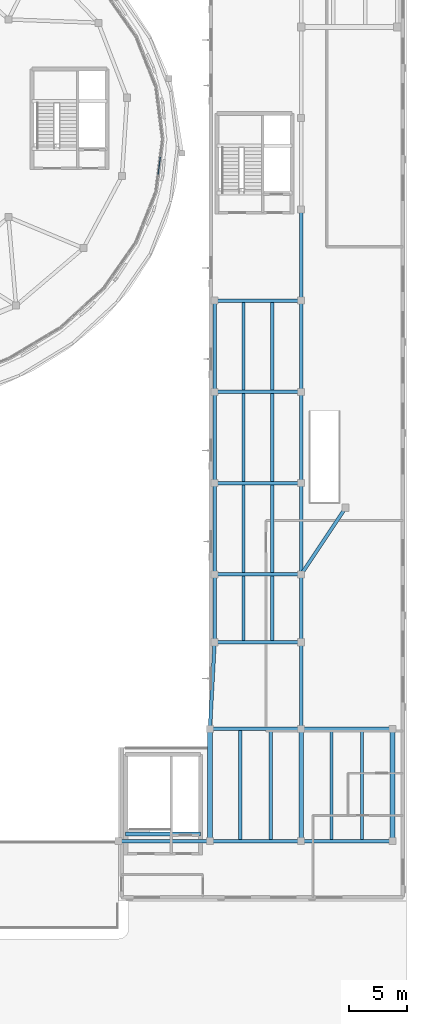
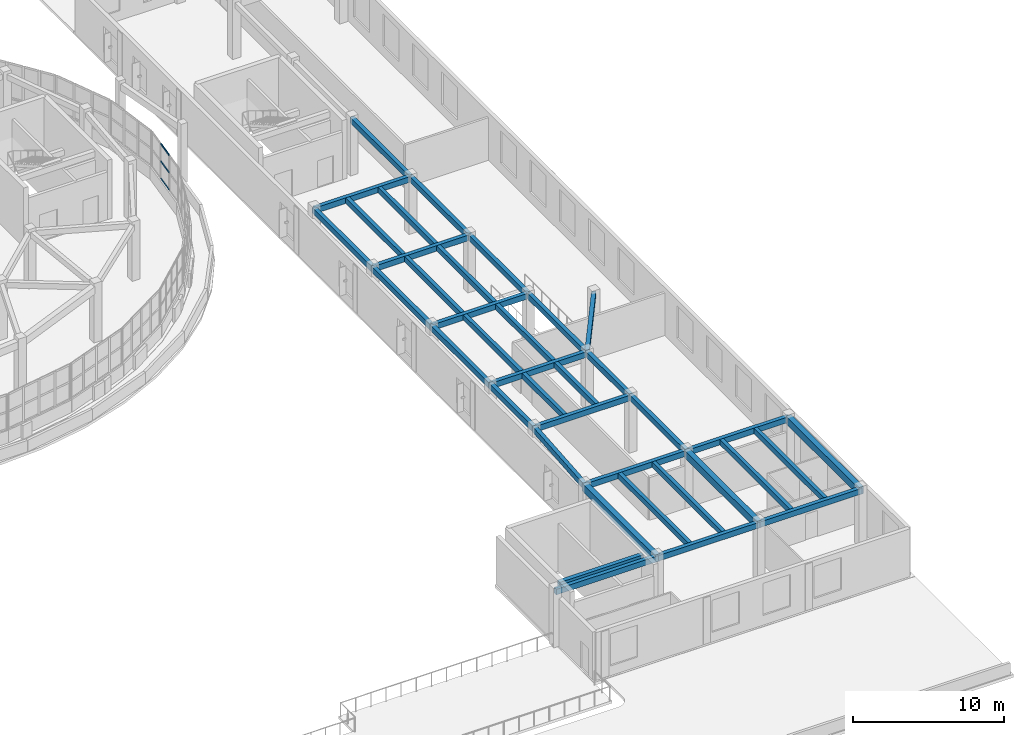
# One storey, part 34 of 69: 38 beams, 3 members, 1 element without a shape of its own.
"""IFC4 building model written with IfcOpenShell, lengths in metres."""

from ifc_helpers import new_model, si_unit, direction, frame, origin, origin_2d, place, context, subcontext, project, spatial, rectangle, hollow_rectangle, extrude, material, layer, layer_set, material_profile, profile_set, type_object, element, aggregate, save


model = new_model("IFC4")

# Units and contexts
model_context = context("Model", 3, precision=1e-05, world=origin(), true_north=direction((0.0, 1.0)))
body_context = subcontext(model_context, "Body", "Model", "MODEL_VIEW")
ifc_project = project(units=[si_unit("LENGTHUNIT", "METRE"), si_unit("AREAUNIT", "SQUARE_METRE"), si_unit("VOLUMEUNIT", "CUBIC_METRE"), si_unit("PLANEANGLEUNIT", "RADIAN"), si_unit("MASSUNIT", "GRAM", prefix="KILO")], contexts=[model_context])

# Site, building, storey
site_placement = place(None, origin())
site = spatial("IfcSite", under=ifc_project, at=site_placement, CompositionType="ELEMENT")
building_placement = place(site_placement, origin())
building = spatial("IfcBuilding", under=site, at=building_placement, Name="Pelvatis Terrace Science Centre", CompositionType="ELEMENT")
storey_placement = place(building_placement, frame((0.0, 0.0, 15.0)))
storey = spatial("IfcBuildingStorey", under=building, at=storey_placement, Name="L03", CompositionType="ELEMENT", Elevation=15.0)

# Beams
ifc_material_1 = material(Name="Concrete C35/45", Category="concrete")
ifc_material_profile_1 = material_profile(ifc_material_1, rectangle(XDim=0.300048828125, YDim=0.449951171875, at=origin_2d()), Name="RC-BM 300x450")
ifc_profile_set_1 = profile_set([ifc_material_profile_1], Name="Concrete C35/45")
beam_type_1 = type_object("IfcBeamType", Name="BM-RC-300x450", PredefinedType="BEAM", material=ifc_profile_set_1)
beam_1_placement = place(storey_placement, frame((132.60009765625, 24.0, 4.324951171875), z_axis=(1.0, 0.0, 0.0), x_axis=(0.0, 1.0, 0.0)))
element("IfcBeam", 1, at=beam_1_placement, inside=storey, type_object=beam_type_1, Name="Beam BM-L03-3043", PredefinedType="BEAM", context=body_context, shape_type="SweptSolid", body=[
    extrude(rectangle(XDim=0.300048828125, YDim=0.449951171875, at=origin_2d()), origin(), (0.0, 0.0, 1.0), 7.7998046875),
])
for number, where, z_axis, x_axis, name in (
    (2, (140.39990234375, 24.0, 4.324951171875), (1.0, 0.0, 0.0), (0.0, 1.0, 0.0), "Beam BM-L03-3045"),
    (3, (140.39990234375, 33.60009765625, 4.324951171875), (1.0, 0.0, 0.0), (0.0, 1.0, 0.0), "Beam BM-L03-3046"),
):
    element("IfcBeam", number, at=place(storey_placement, frame(where, z_axis=z_axis, x_axis=x_axis)), inside=storey, type_object=beam_type_1, Name=name, PredefinedType="BEAM", context=body_context, shape_type="SweptSolid", body=[
        extrude(rectangle(XDim=0.300048828125, YDim=0.449951171875, at=origin_2d()), origin(), (0.0, 0.0, 1.0), 7.800048828125),
    ])
beam_2_placement = place(storey_placement, frame((140.39990234375, 33.60009765625, 4.324951171875), z_axis=(0.05399567722, 0.998541169327, 0.0), x_axis=(-0.998541169327, 0.05399567722, 0.0)))
element("IfcBeam", 4, at=beam_2_placement, inside=storey, type_object=beam_type_1, Name="Beam BM-L03-3047", PredefinedType="BEAM", context=body_context, shape_type="SweptSolid", body=[
    extrude(rectangle(XDim=0.300048828125, YDim=0.449951171875, at=origin_2d()), origin(), (0.0, 0.0, 1.0), 7.41064453125),
])
for number, where, z_axis, x_axis, name in (
    (5, (148.199951171875, 24.0, 4.324951171875), (1.0, 0.0, 0.0), (0.0, 1.0, 0.0), "Beam BM-L03-3049"),
    (6, (148.199951171875, 33.60009765625, 4.324951171875), (1.0, 0.0, 0.0), (0.0, 1.0, 0.0), "Beam BM-L03-3050"),
):
    element("IfcBeam", number, at=place(storey_placement, frame(where, z_axis=z_axis, x_axis=x_axis)), inside=storey, type_object=beam_type_1, Name=name, PredefinedType="BEAM", context=body_context, shape_type="SweptSolid", body=[
        extrude(rectangle(XDim=0.300048828125, YDim=0.449951171875, at=origin_2d()), origin(), (0.0, 0.0, 1.0), 7.800048828125),
    ])
beam_3_placement = place(storey_placement, frame((148.199951171875, 33.60009765625, 4.324951171875), z_axis=(0.0, 1.0, 0.0), x_axis=(-1.0, 0.0, 0.0)))
element("IfcBeam", 7, at=beam_3_placement, inside=storey, type_object=beam_type_1, Name="Beam BM-L03-3051", PredefinedType="BEAM", context=body_context, shape_type="SweptSolid", body=[
    extrude(rectangle(XDim=0.300048828125, YDim=0.449951171875, at=origin_2d()), origin(), (0.0, 0.0, 1.0), 7.39990234375),
])
beam_4_placement = place(storey_placement, frame((140.800048828125, 41.0, 4.324951171875), z_axis=(0.0, 1.0, 0.0), x_axis=(-1.0, 0.0, 0.0)))
element("IfcBeam", 8, at=beam_4_placement, inside=storey, type_object=beam_type_1, Name="Beam BM-L03-3053", PredefinedType="BEAM", context=body_context, shape_type="SweptSolid", body=[
    extrude(rectangle(XDim=0.300048828125, YDim=0.449951171875, at=origin_2d()), origin(), (0.0, 0.0, 1.0), 5.800048828125),
])
beam_5_placement = place(storey_placement, frame((140.800048828125, 41.0, 4.324951171875), z_axis=(1.0, 0.0, 0.0), x_axis=(0.0, 1.0, 0.0)))
element("IfcBeam", 9, at=beam_5_placement, inside=storey, type_object=beam_type_1, Name="Beam BM-L03-3054", PredefinedType="BEAM", context=body_context, shape_type="SweptSolid", body=[
    extrude(rectangle(XDim=0.300048828125, YDim=0.449951171875, at=origin_2d()), origin(), (0.0, 0.0, 1.0), 7.39990234375),
])
beam_6_placement = place(storey_placement, frame((140.800048828125, 46.800048828125, 4.324951171875), z_axis=(0.0, 1.0, 0.0), x_axis=(-1.0, 0.0, 0.0)))
element("IfcBeam", 10, at=beam_6_placement, inside=storey, type_object=beam_type_1, Name="Beam BM-L03-3055", PredefinedType="BEAM", context=body_context, shape_type="SweptSolid", body=[
    extrude(rectangle(XDim=0.300048828125, YDim=0.449951171875, at=origin_2d()), origin(), (0.0, 0.0, 1.0), 7.800048828125),
])
beam_7_placement = place(storey_placement, frame((140.800048828125, 46.800048828125, 4.324951171875), z_axis=(1.0, 0.0, 0.0), x_axis=(0.0, 1.0, 0.0)))
element("IfcBeam", 11, at=beam_7_placement, inside=storey, type_object=beam_type_1, Name="Beam BM-L03-3056", PredefinedType="BEAM", context=body_context, shape_type="SweptSolid", body=[
    extrude(rectangle(XDim=0.300048828125, YDim=0.449951171875, at=origin_2d()), origin(), (0.0, 0.0, 1.0), 7.39990234375),
])
beam_8_placement = place(storey_placement, frame((140.800048828125, 54.60009765625, 4.324951171875), z_axis=(0.0, 1.0, 0.0), x_axis=(-1.0, 0.0, 0.0)))
element("IfcBeam", 12, at=beam_8_placement, inside=storey, type_object=beam_type_1, Name="Beam BM-L03-3057", PredefinedType="BEAM", context=body_context, shape_type="SweptSolid", body=[
    extrude(rectangle(XDim=0.300048828125, YDim=0.449951171875, at=origin_2d()), origin(), (0.0, 0.0, 1.0), 7.7998046875),
])
beam_9_placement = place(storey_placement, frame((140.800048828125, 54.60009765625, 4.324951171875), z_axis=(1.0, 0.0, 0.0), x_axis=(0.0, 1.0, 0.0)))
element("IfcBeam", 13, at=beam_9_placement, inside=storey, type_object=beam_type_1, Name="Beam BM-L03-3058", PredefinedType="BEAM", context=body_context, shape_type="SweptSolid", body=[
    extrude(rectangle(XDim=0.300048828125, YDim=0.449951171875, at=origin_2d()), origin(), (0.0, 0.0, 1.0), 7.39990234375),
])
beam_10_placement = place(storey_placement, frame((140.800048828125, 62.39990234375, 4.324951171875), z_axis=(0.0, 1.0, 0.0), x_axis=(-1.0, 0.0, 0.0)))
element("IfcBeam", 14, at=beam_10_placement, inside=storey, type_object=beam_type_1, Name="Beam BM-L03-3059", PredefinedType="BEAM", context=body_context, shape_type="SweptSolid", body=[
    extrude(rectangle(XDim=0.300048828125, YDim=0.449951171875, at=origin_2d()), origin(), (0.0, 0.0, 1.0), 7.800048828125),
])
for number, where, z_axis, x_axis, name in (
    (15, (140.800048828125, 62.39990234375, 4.324951171875), (1.0, 0.0, 0.0), (0.0, 1.0, 0.0), "Beam BM-L03-3060"),
    (16, (140.800048828125, 70.199951171875, 4.324951171875), (1.0, 0.0, 0.0), (0.0, 1.0, 0.0), "Beam BM-L03-3061"),
):
    element("IfcBeam", number, at=place(storey_placement, frame(where, z_axis=z_axis, x_axis=x_axis)), inside=storey, type_object=beam_type_1, Name=name, PredefinedType="BEAM", context=body_context, shape_type="SweptSolid", body=[
        extrude(rectangle(XDim=0.300048828125, YDim=0.449951171875, at=origin_2d()), origin(), (0.0, 0.0, 1.0), 7.39990234375),
    ])
beam_11_placement = place(storey_placement, frame((148.199951171875, 41.0, 4.324951171875), z_axis=(0.0, 1.0, 0.0), x_axis=(-1.0, 0.0, 0.0)))
element("IfcBeam", 17, at=beam_11_placement, inside=storey, type_object=beam_type_1, Name="Beam BM-L03-3062", PredefinedType="BEAM", context=body_context, shape_type="SweptSolid", body=[
    extrude(rectangle(XDim=0.300048828125, YDim=0.449951171875, at=origin_2d()), origin(), (0.0, 0.0, 1.0), 5.800048828125),
])
beam_12_placement = place(storey_placement, frame((148.199951171875, 46.800048828125, 4.324951171875), z_axis=(0.0, 1.0, 0.0), x_axis=(-1.0, 0.0, 0.0)))
element("IfcBeam", 18, at=beam_12_placement, inside=storey, type_object=beam_type_1, Name="Beam BM-L03-3063", PredefinedType="BEAM", context=body_context, shape_type="SweptSolid", body=[
    extrude(rectangle(XDim=0.300048828125, YDim=0.449951171875, at=origin_2d()), origin(), (0.0, 0.0, 1.0), 7.800048828125),
])
beam_13_placement = place(storey_placement, frame((148.199951171875, 46.800048828125, 4.324951171875), z_axis=(0.554708420396, 0.832044811499, 0.0), x_axis=(-0.832044811499, 0.554708420396, 0.0)))
element("IfcBeam", 19, at=beam_13_placement, inside=storey, type_object=beam_type_1, Name="Beam BM-L03-3064", PredefinedType="BEAM", context=body_context, shape_type="SweptSolid", body=[
    extrude(rectangle(XDim=0.300048828125, YDim=0.449951171875, at=origin_2d()), origin(), (0.0, 0.0, 1.0), 6.8505859375),
])
beam_14_placement = place(storey_placement, frame((148.199951171875, 54.60009765625, 4.324951171875), z_axis=(0.0, 1.0, 0.0), x_axis=(-1.0, 0.0, 0.0)))
element("IfcBeam", 20, at=beam_14_placement, inside=storey, type_object=beam_type_1, Name="Beam BM-L03-3065", PredefinedType="BEAM", context=body_context, shape_type="SweptSolid", body=[
    extrude(rectangle(XDim=0.300048828125, YDim=0.449951171875, at=origin_2d()), origin(), (0.0, 0.0, 1.0), 7.7998046875),
])
for number, where, z_axis, x_axis, name in (
    (21, (148.199951171875, 62.39990234375, 4.324951171875), (0.0, 1.0, 0.0), (-1.0, 0.0, 0.0), "Beam BM-L03-3066"),
    (22, (148.199951171875, 70.199951171875, 4.324951171875), (0.0, 1.0, 0.0), (-1.0, 0.0, 0.0), "Beam BM-L03-3067"),
):
    element("IfcBeam", number, at=place(storey_placement, frame(where, z_axis=z_axis, x_axis=x_axis)), inside=storey, type_object=beam_type_1, Name=name, PredefinedType="BEAM", context=body_context, shape_type="SweptSolid", body=[
        extrude(rectangle(XDim=0.300048828125, YDim=0.449951171875, at=origin_2d()), origin(), (0.0, 0.0, 1.0), 7.800048828125),
    ])
ifc_material_2 = material(Name="Concrete C35/45", Category="concrete")
ifc_material_profile_2 = material_profile(ifc_material_2, rectangle(XDim=0.320068359375, YDim=0.47998046875, at=origin_2d()), Name="RC-BM 320x480")
ifc_profile_set_2 = profile_set([ifc_material_profile_2], Name="Concrete C35/45")
beam_type_2 = type_object("IfcBeamType", Name="BM-RC-320x480", PredefinedType="BEAM", material=ifc_profile_set_2)
beam_15_placement = place(storey_placement, frame((133.199951171875, 24.60009765625, 4.300048828125), z_axis=(1.0, 0.0, 0.0), x_axis=(0.0, 1.0, 0.0)))
element("IfcBeam", 23, at=beam_15_placement, inside=storey, type_object=beam_type_2, Name="Core C4 stair header beam (L03)", PredefinedType="BEAM", context=body_context, shape_type="SweptSolid", body=[
    extrude(rectangle(XDim=0.320068359375, YDim=0.47998046875, at=origin_2d()), origin(), (0.0, 0.0, 1.0), 6.400146484375),
])
ifc_material_3 = material(Name="Concrete C35/45", Category="concrete")
ifc_material_profile_3 = material_profile(ifc_material_3, rectangle(XDim=0.39990234375, YDim=0.60009765625, at=origin_2d()), Name="RC-BM 400x600")
ifc_profile_set_3 = profile_set([ifc_material_profile_3], Name="Concrete C35/45")
beam_type_3 = type_object("IfcBeamType", Name="BM-RC-400x600", PredefinedType="BEAM", material=ifc_profile_set_3)
for number, where, z_axis, x_axis, name in (
    (24, (140.39990234375, 24.0, 4.25), (0.0, 1.0, 0.0), (-1.0, 0.0, 0.0), "Beam BM-L03-3044"),
    (25, (148.199951171875, 24.0, 4.25), (0.0, 1.0, 0.0), (-1.0, 0.0, 0.0), "Beam BM-L03-3048"),
    (26, (156.0, 24.0, 4.25), (0.0, 1.0, 0.0), (-1.0, 0.0, 0.0), "Beam BM-L03-3052"),
):
    element("IfcBeam", number, at=place(storey_placement, frame(where, z_axis=z_axis, x_axis=x_axis)), inside=storey, type_object=beam_type_3, Name=name, PredefinedType="BEAM", context=body_context, shape_type="SweptSolid", body=[
        extrude(rectangle(XDim=0.39990234375, YDim=0.60009765625, at=origin_2d()), origin(), (0.0, 0.0, 1.0), 9.60009765625),
    ])

# Curtain wall, members
ifc_material_4 = material(Name="Bronze-anodised aluminium and laminated glass", Category="aluminium")
ifc_layer = layer(ifc_material_4, 0.179931640625)
ifc_layer_set = layer_set([ifc_layer], Name="Bronze-anodised aluminium and laminated glass")
curtain_wall_type = type_object("IfcCurtainWallType", Name="CW-RIBBON-A", PredefinedType="NOTDEFINED", material=ifc_layer_set)
curtain_wall_placement = place(storey_placement, origin())
curtain_wall = element("IfcCurtainWall", 27, at=curtain_wall_placement, inside=storey, type_object=curtain_wall_type, Name="Ribbon curtain wall CW-212 (L03)", PredefinedType="NOTDEFINED")
ifc_material_5 = material(Name="Bronze-anodised aluminium 6063-T6", Category="aluminium")
ifc_material_profile_4 = material_profile(ifc_material_5, hollow_rectangle(XDim=0.06005859375, YDim=0.139892578125, WallThickness=0.00390625, at=origin_2d()), Name="ALU-TRN 60x140")
ifc_profile_set_4 = profile_set([ifc_material_profile_4], Name="Bronze-anodised aluminium 6063-T6")
member_type = type_object("IfcMemberType", Name="CWT-60x140", PredefinedType="USERDEFINED", material=ifc_profile_set_4)
member_1_placement = place(storey_placement, frame((135.971435546875, 81.02880859375, 1.050048828125), z_axis=(0.126392609759, 0.991980296275, 0.0), x_axis=(-0.991980296275, 0.126392609759, 0.0)))
member_1 = element("IfcMember", 28, at=member_1_placement, type_object=member_type, Name="CW-212 transom 2.1", ObjectType="TRANSOM", PredefinedType="USERDEFINED", context=body_context, shape_type="SweptSolid", body=[
    extrude(hollow_rectangle(XDim=0.06005859375, YDim=0.139892578125, WallThickness=0.00390625, at=origin_2d()), origin(), (0.0, 0.0, 1.0), 1.45263671875),
])
member_2_placement = place(storey_placement, frame((135.971435546875, 81.02880859375, 2.445068359375), z_axis=(0.126392609759, 0.991980296275, 0.0), x_axis=(-0.991980296275, 0.126392609759, 0.0)))
member_2 = element("IfcMember", 29, at=member_2_placement, type_object=member_type, Name="CW-212 transom 2.2", ObjectType="TRANSOM", PredefinedType="USERDEFINED", context=body_context, shape_type="SweptSolid", body=[
    extrude(hollow_rectangle(XDim=0.06005859375, YDim=0.139892578125, WallThickness=0.00390625, at=origin_2d()), origin(), (0.0, 0.0, 1.0), 1.45263671875),
])
member_3_placement = place(storey_placement, frame((135.971435546875, 81.02880859375, 3.840087890625), z_axis=(0.126392609759, 0.991980296275, 0.0), x_axis=(-0.991980296275, 0.126392609759, 0.0)))
member_3 = element("IfcMember", 30, at=member_3_placement, type_object=member_type, Name="CW-212 transom 2.3", ObjectType="TRANSOM", PredefinedType="USERDEFINED", context=body_context, shape_type="SweptSolid", body=[
    extrude(hollow_rectangle(XDim=0.06005859375, YDim=0.139892578125, WallThickness=0.00390625, at=origin_2d()), origin(), (0.0, 0.0, 1.0), 1.45263671875),
])
aggregate(curtain_wall, [member_1, member_2, member_3])

# Beams
ifc_material_6 = material(Name="Concrete C35/45", Category="concrete")
ifc_material_profile_5 = material_profile(ifc_material_6, rectangle(XDim=0.280029296875, YDim=0.43994140625, at=origin_2d()), Name="RC-JST 280x440")
ifc_profile_set_5 = profile_set([ifc_material_profile_5], Name="Concrete C35/45")
beam_type_4 = type_object("IfcBeamType", Name="JST-RC-280x440", PredefinedType="JOIST", material=ifc_profile_set_5)
for number, where, z_axis, x_axis, name in (
    (31, (143.0, 24.14990234375, 4.330078125), (0.0, 1.0, 0.0), (-1.0, 0.0, 0.0), "Secondary floor joist J-L03-2189"),
    (32, (145.60009765625, 24.14990234375, 4.330078125), (0.0, 1.0, 0.0), (-1.0, 0.0, 0.0), "Secondary floor joist J-L03-2190"),
    (33, (150.800048828125, 24.14990234375, 4.330078125), (0.0, 1.0, 0.0), (-1.0, 0.0, 0.0), "Secondary floor joist J-L03-2191"),
    (34, (153.39990234375, 24.14990234375, 4.330078125), (0.0, 1.0, 0.0), (-1.0, 0.0, 0.0), "Secondary floor joist J-L03-2192"),
):
    element("IfcBeam", number, at=place(storey_placement, frame(where, z_axis=z_axis, x_axis=x_axis)), inside=storey, type_object=beam_type_4, Name=name, PredefinedType="JOIST", context=body_context, shape_type="SweptSolid", body=[
        extrude(rectangle(XDim=0.280029296875, YDim=0.43994140625, at=origin_2d()), origin(), (0.0, 0.0, 1.0), 9.300048828125),
    ])
for number, where, z_axis, x_axis, name in (
    (35, (143.2666015625, 41.14990234375, 4.330078125), (0.0, 1.0, 0.0), (-1.0, 0.0, 0.0), "Secondary floor joist J-L03-2193"),
    (36, (145.7333984375, 41.14990234375, 4.330078125), (0.0, 1.0, 0.0), (-1.0, 0.0, 0.0), "Secondary floor joist J-L03-2194"),
):
    element("IfcBeam", number, at=place(storey_placement, frame(where, z_axis=z_axis, x_axis=x_axis)), inside=storey, type_object=beam_type_4, Name=name, PredefinedType="JOIST", context=body_context, shape_type="SweptSolid", body=[
        extrude(rectangle(XDim=0.280029296875, YDim=0.43994140625, at=origin_2d()), origin(), (0.0, 0.0, 1.0), 5.5),
    ])
for number, where, z_axis, x_axis, name in (
    (37, (143.2666015625, 46.949951171875, 4.330078125), (0.0, 1.0, 0.0), (-1.0, 0.0, 0.0), "Secondary floor joist J-L03-2195"),
    (38, (145.7333984375, 46.949951171875, 4.330078125), (0.0, 1.0, 0.0), (-1.0, 0.0, 0.0), "Secondary floor joist J-L03-2196"),
    (39, (143.2666015625, 54.75, 4.330078125), (0.0, 1.0, 0.0), (-1.0, 0.0, 0.0), "Secondary floor joist J-L03-2197"),
    (40, (145.7333984375, 54.75, 4.330078125), (0.0, 1.0, 0.0), (-1.0, 0.0, 0.0), "Secondary floor joist J-L03-2198"),
    (41, (143.2666015625, 62.550048828125, 4.330078125), (0.0, 1.0, 0.0), (-1.0, 0.0, 0.0), "Secondary floor joist J-L03-2199"),
    (42, (145.7333984375, 62.550048828125, 4.330078125), (0.0, 1.0, 0.0), (-1.0, 0.0, 0.0), "Secondary floor joist J-L03-2200"),
):
    element("IfcBeam", number, at=place(storey_placement, frame(where, z_axis=z_axis, x_axis=x_axis)), inside=storey, type_object=beam_type_4, Name=name, PredefinedType="JOIST", context=body_context, shape_type="SweptSolid", body=[
        extrude(rectangle(XDim=0.280029296875, YDim=0.43994140625, at=origin_2d()), origin(), (0.0, 0.0, 1.0), 7.5),
    ])

save(model, "model.ifc")
